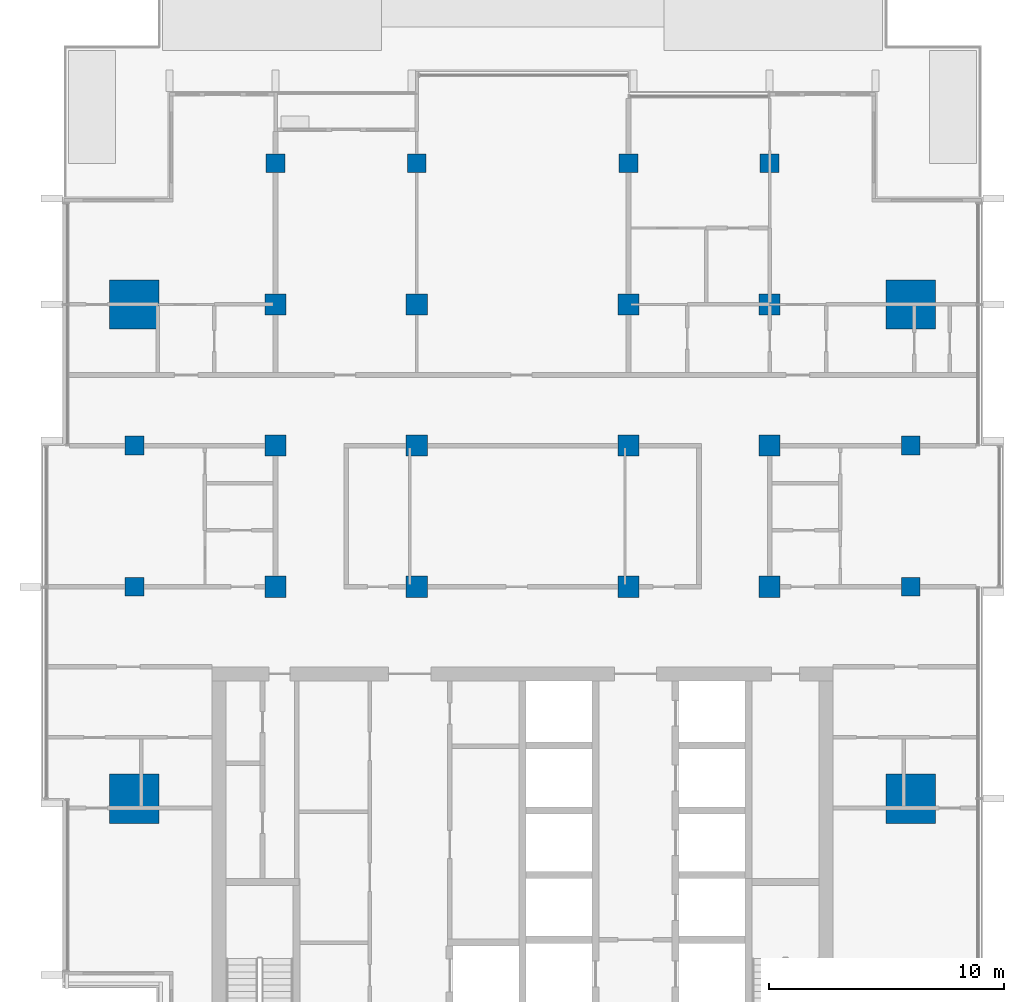
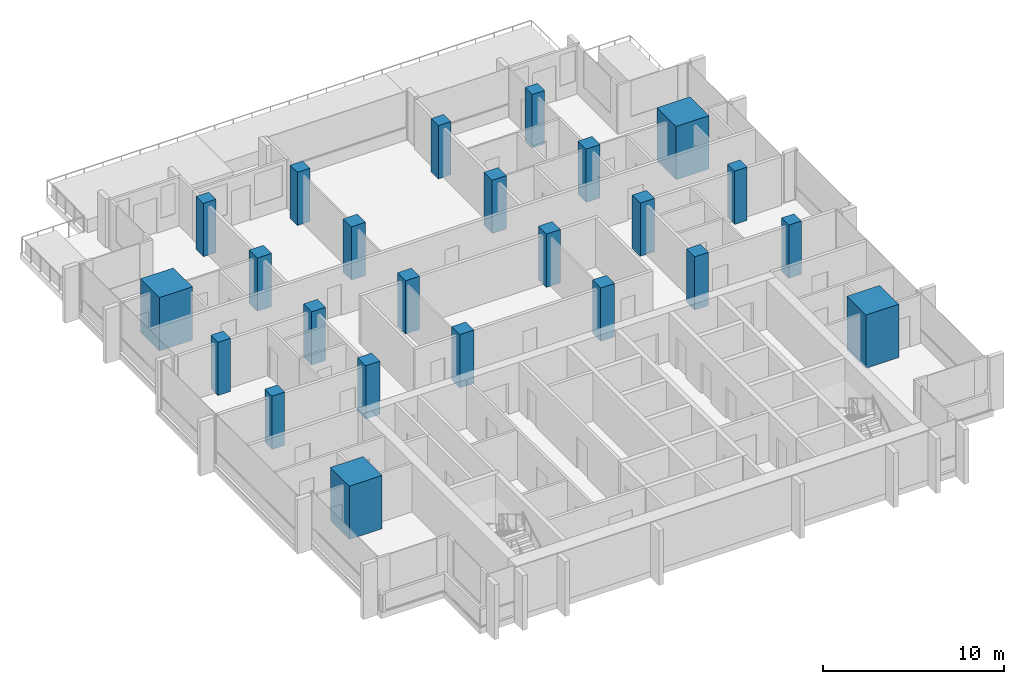
# One storey, part 1 of 17: 24 columns.
"""IFC4 building model written with IfcOpenShell, lengths in metres."""

from ifc_helpers import new_model, si_unit, direction, frame, origin, origin_2d, place, context, subcontext, project, spatial, rectangle, extrude, material, material_profile, profile_set, type_object, element, save


model = new_model("IFC4")

# Units and contexts
model_context = context("Model", 3, precision=1e-05, world=origin(), true_north=direction((0.0, 1.0)))
body_context = subcontext(model_context, "Body", "Model", "MODEL_VIEW")
ifc_project = project(units=[si_unit("LENGTHUNIT", "METRE"), si_unit("AREAUNIT", "SQUARE_METRE"), si_unit("VOLUMEUNIT", "CUBIC_METRE"), si_unit("PLANEANGLEUNIT", "RADIAN"), si_unit("MASSUNIT", "GRAM", prefix="KILO")], contexts=[model_context])

# Site, building, storey
site_placement = place(None, origin())
site = spatial("IfcSite", under=ifc_project, at=site_placement, CompositionType="ELEMENT")
building_placement = place(site_placement, origin())
building = spatial("IfcBuilding", under=site, at=building_placement, Name="Finial Court Residences", CompositionType="ELEMENT")
storey_placement = place(building_placement, frame((0.0, 0.0, 205.10009765625)))
storey = spatial("IfcBuildingStorey", under=building, at=storey_placement, Name="L51", CompositionType="ELEMENT", Elevation=205.10009765625)

# Columns
ifc_material = material(Name="Concrete C50/60", Category="concrete")
ifc_material_profile_1 = material_profile(ifc_material, rectangle(XDim=0.89990234375, YDim=0.89990234375, at=origin_2d()), Name="900x900")
ifc_profile_set_1 = profile_set([ifc_material_profile_1], Name="Concrete C50/60")
column_type_1 = type_object("IfcColumnType", Name="Interior column 900x900 Concrete C50/60", PredefinedType="COLUMN", material=ifc_profile_set_1)
for number, where, z_axis, x_axis, name in (
    (1, (-10.5, -4.5, 0.0), (0.0, 0.0, 1.0), (1.0, 0.0, 0.0), "S:COL:L51:D4"),
    (2, (-10.5, 1.5, 0.0), (0.0, 0.0, 1.0), (1.0, 0.0, 0.0), "S:COL:L51:D5"),
    (3, (-10.5, 7.5, 0.0), (0.0, 0.0, 1.0), (1.0, 0.0, 0.0), "S:COL:L51:D6"),
    (4, (-4.5, -4.5, 0.0), (0.0, 0.0, 1.0), (1.0, 0.0, 0.0), "S:COL:L51:E4"),
    (5, (-4.5, 1.5, 0.0), (0.0, 0.0, 1.0), (1.0, 0.0, 0.0), "S:COL:L51:E5"),
    (6, (-4.5, 7.5, 0.0), (0.0, 0.0, 1.0), (1.0, 0.0, 0.0), "S:COL:L51:E6"),
    (7, (4.5, -4.5, 0.0), (0.0, 0.0, 1.0), (1.0, 0.0, 0.0), "S:COL:L51:F4"),
    (8, (4.5, 1.5, 0.0), (0.0, 0.0, 1.0), (1.0, 0.0, 0.0), "S:COL:L51:F5"),
    (9, (4.5, 7.5, 0.0), (0.0, 0.0, 1.0), (1.0, 0.0, 0.0), "S:COL:L51:F6"),
    (10, (10.5, -4.5, 0.0), (0.0, 0.0, 1.0), (1.0, 0.0, 0.0), "S:COL:L51:G4"),
    (11, (10.5, 1.5, 0.0), (0.0, 0.0, 1.0), (1.0, 0.0, 0.0), "S:COL:L51:G5"),
    (12, (10.5, 7.5, 0.0), (0.0, 0.0, 1.0), (1.0, 0.0, 0.0), "S:COL:L51:G6"),
):
    element("IfcColumn", number, at=place(storey_placement, frame(where, z_axis=z_axis, x_axis=x_axis)), inside=storey, type_object=column_type_1, Name=name, PredefinedType="COLUMN", context=body_context, shape_type="SweptSolid", body=[
        extrude(rectangle(XDim=0.89990234375, YDim=0.89990234375, at=origin_2d()), origin(), (0.0, 0.0, 1.0), 3.599853515625),
    ])
ifc_material_profile_2 = material_profile(ifc_material, rectangle(XDim=2.10009765625, YDim=2.10009765625, at=origin_2d()), Name="2100x2100")
ifc_profile_set_2 = profile_set([ifc_material_profile_2], Name="Concrete C50/60")
column_type_2 = type_object("IfcColumnType", Name="Mega column 2100x2100 Concrete C50/60", PredefinedType="COLUMN", material=ifc_profile_set_2)
for number, where, z_axis, x_axis, name in (
    (13, (-16.5, -13.5, 0.0), (0.0, 0.0, 1.0), (1.0, 0.0, 0.0), "S:COL:L51:C3"),
    (14, (-16.5, 7.5, 0.0), (0.0, 0.0, 1.0), (1.0, 0.0, 0.0), "S:COL:L51:C6"),
    (15, (16.5, -13.5, 0.0), (0.0, 0.0, 1.0), (1.0, 0.0, 0.0), "S:COL:L51:H3"),
    (16, (16.5, 7.5, 0.0), (0.0, 0.0, 1.0), (1.0, 0.0, 0.0), "S:COL:L51:H6"),
):
    element("IfcColumn", number, at=place(storey_placement, frame(where, z_axis=z_axis, x_axis=x_axis)), inside=storey, type_object=column_type_2, Name=name, PredefinedType="COLUMN", context=body_context, shape_type="SweptSolid", body=[
        extrude(rectangle(XDim=2.10009765625, YDim=2.10009765625, at=origin_2d()), origin(), (0.0, 0.0, 1.0), 3.599853515625),
    ])
ifc_material_profile_3 = material_profile(ifc_material, rectangle(XDim=0.800048828125, YDim=0.800048828125, at=origin_2d()), Name="800x800")
ifc_profile_set_3 = profile_set([ifc_material_profile_3], Name="Concrete C50/60")
column_type_3 = type_object("IfcColumnType", Name="Perimeter column 800x800 Concrete C50/60", PredefinedType="COLUMN", material=ifc_profile_set_3)
for number, where, z_axis, x_axis, name in (
    (17, (-16.5, -4.5, 0.0), (0.0, 0.0, 1.0), (1.0, 0.0, 0.0), "S:COL:L51:C4"),
    (18, (-16.5, 1.5, 0.0), (0.0, 0.0, 1.0), (1.0, 0.0, 0.0), "S:COL:L51:C5"),
    (19, (-10.5, 13.5, 0.0), (0.0, 0.0, 1.0), (1.0, 0.0, 0.0), "S:COL:L51:D7"),
    (20, (-4.5, 13.5, 0.0), (0.0, 0.0, 1.0), (1.0, 0.0, 0.0), "S:COL:L51:E7"),
    (21, (4.5, 13.5, 0.0), (0.0, 0.0, 1.0), (1.0, 0.0, 0.0), "S:COL:L51:F7"),
    (22, (10.5, 13.5, 0.0), (0.0, 0.0, 1.0), (1.0, 0.0, 0.0), "S:COL:L51:G7"),
    (23, (16.5, -4.5, 0.0), (0.0, 0.0, 1.0), (1.0, 0.0, 0.0), "S:COL:L51:H4"),
    (24, (16.5, 1.5, 0.0), (0.0, 0.0, 1.0), (1.0, 0.0, 0.0), "S:COL:L51:H5"),
):
    element("IfcColumn", number, at=place(storey_placement, frame(where, z_axis=z_axis, x_axis=x_axis)), inside=storey, type_object=column_type_3, Name=name, PredefinedType="COLUMN", context=body_context, shape_type="SweptSolid", body=[
        extrude(rectangle(XDim=0.800048828125, YDim=0.800048828125, at=origin_2d()), origin(), (0.0, 0.0, 1.0), 3.599853515625),
    ])

save(model, "model.ifc")
